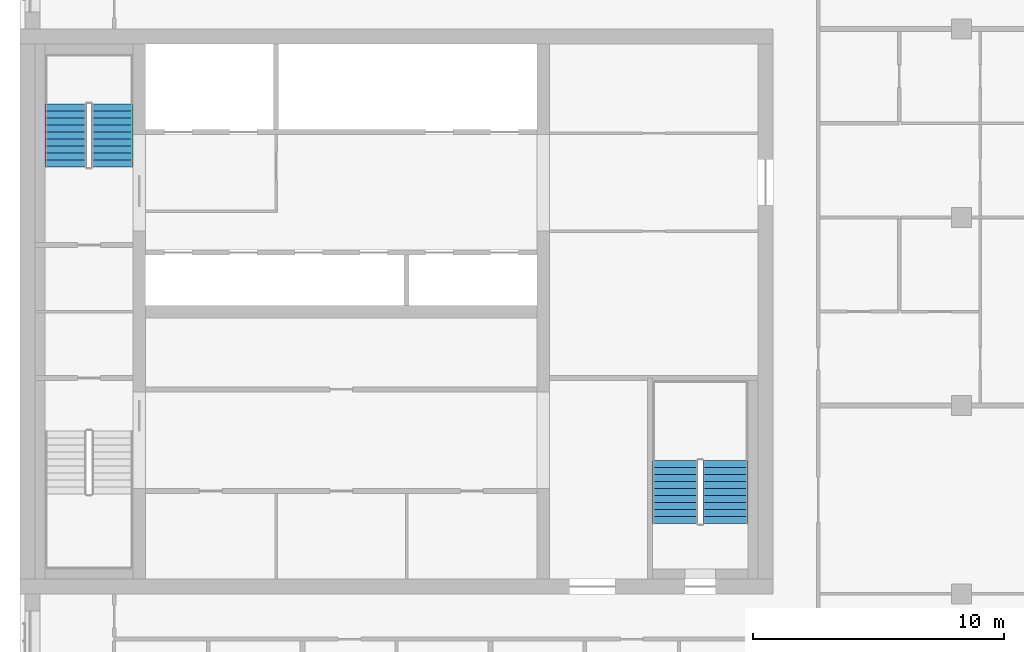
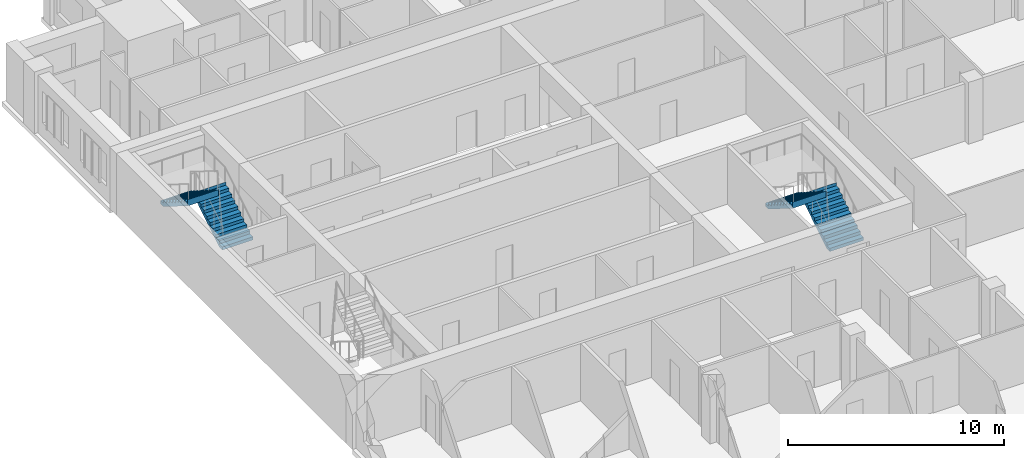
# One storey, part 9 of 10: 4 stair flights, 2 elements without a shape of their own.
"""IFC4 building model written with IfcOpenShell, lengths in metres."""

from ifc_helpers import new_model, si_unit, direction, frame, origin, place, context, subcontext, project, spatial, polyline, outline, extrude, material, type_object, element, aggregate, save


model = new_model("IFC4")

# Units and contexts
model_context = context("Model", 3, precision=1e-05, world=origin(), true_north=direction((0.0, 1.0)))
body_context = subcontext(model_context, "Body", "Model", "MODEL_VIEW")
ifc_project = project(units=[si_unit("LENGTHUNIT", "METRE"), si_unit("AREAUNIT", "SQUARE_METRE"), si_unit("VOLUMEUNIT", "CUBIC_METRE"), si_unit("PLANEANGLEUNIT", "RADIAN"), si_unit("MASSUNIT", "GRAM", prefix="KILO")], contexts=[model_context])

# Site, building, storey
site_placement = place(None, origin())
site = spatial("IfcSite", under=ifc_project, at=site_placement, CompositionType="ELEMENT")
building_placement = place(site_placement, origin())
building = spatial("IfcBuilding", under=site, at=building_placement, Name="Tamorin Gate", CompositionType="ELEMENT")
storey_placement = place(building_placement, frame((0.0, 0.0, 237.199951171875)))
storey = spatial("IfcBuildingStorey", under=building, at=storey_placement, Name="L59", CompositionType="ELEMENT", Elevation=237.199951171875)

# Stair, stair flights
ifc_material = material(Name="Concrete C40/50", Category="concrete")
stair_type = type_object("IfcStairType", Name="Exit stair", PredefinedType="HALF_TURN_STAIR", material=ifc_material)
stair_1_placement = place(storey_placement, origin())
stair_1 = element("IfcStair", 1, at=stair_1_placement, inside=storey, type_object=stair_type, Name="L59 stair ST2", PredefinedType="HALF_TURN_STAIR")
stair_flight_type = type_object("IfcStairFlightType", Name="Exit stair flight", PredefinedType="STRAIGHT", material=ifc_material)
stair_flight_1_placement = place(storey_placement, frame((33.675048828125, 77.0, 0.0), z_axis=(0.0, 0.0, 1.0), x_axis=(0.0, 1.0, 0.0)))
stair_flight_1 = element("IfcStairFlight", 2, at=stair_flight_1_placement, type_object=stair_flight_type, Name="ST2 flight 1", NumberOfRisers=10, NumberOfTreads=9, PredefinedType="STRAIGHT", RiserHeight=0.175, TreadLength=0.28, context=body_context, shape_type="SweptSolid", body=[
    extrude(outline(polyline([(-0.00048828125, 0.0), (-0.00048828125, 0.001708984375), (-0.00048828125, 0.00341796875), (-0.00048828125, 0.005126953125), (-0.00048828125, 0.0068359375), (-0.00048828125, 0.008544921875), (-0.00048828125, 0.010498046875), (-0.00048828125, 0.01220703125), (-0.00048828125, 0.013916015625), (-0.00048828125, 0.015625), (-0.00048828125, 0.017333984375), (-0.00048828125, 0.01904296875), (-0.00048828125, 0.020751953125), (-0.00048828125, 0.0224609375), (-0.00048828125, 0.024169921875), (-0.00048828125, 0.02587890625), (-0.00048828125, 0.02783203125), (-0.00048828125, 0.029541015625), (-0.00048828125, 0.03125), (-0.00048828125, 0.032958984375), (-0.00048828125, 0.03466796875), (-0.00048828125, 0.036376953125), (-0.00048828125, 0.0380859375), (-0.00048828125, 0.039794921875), (-0.00048828125, 0.04150390625), (-0.00048828125, 0.043212890625), (-0.00048828125, 0.045166015625), (-0.00048828125, 0.046875), (-0.00048828125, 0.048583984375), (-0.00048828125, 0.05029296875), (-0.00048828125, 0.052001953125), (-0.00048828125, 0.0537109375), (-0.00048828125, 0.055419921875), (-0.00048828125, 0.05712890625), (-0.00048828125, 0.058837890625), (-0.00048828125, 0.060546875), (-0.00048828125, 0.062255859375), (-0.00048828125, 0.064208984375), (-0.00048828125, 0.06591796875), (-0.00048828125, 0.067626953125), (-0.00048828125, 0.0693359375), (-0.00048828125, 0.071044921875), (-0.00048828125, 0.07275390625), (-0.00048828125, 0.074462890625), (-0.00048828125, 0.076171875), (-0.00048828125, 0.077880859375), (-0.00048828125, 0.07958984375), (-0.00048828125, 0.08154296875), (-0.00048828125, 0.083251953125), (-0.00048828125, 0.0849609375), (-0.00048828125, 0.086669921875), (-0.00048828125, 0.08837890625), (-0.00048828125, 0.090087890625), (-0.00048828125, 0.091796875), (-0.00048828125, 0.093505859375), (-0.00048828125, 0.09521484375), (-0.00048828125, 0.096923828125), (-0.00048828125, 0.098876953125), (-0.00048828125, 0.1005859375), (-0.00048828125, 0.102294921875), (-0.00048828125, 0.10400390625), (-0.00048828125, 0.105712890625), (-0.00048828125, 0.107421875), (-0.00048828125, 0.109130859375), (-0.00048828125, 0.11083984375), (-0.00048828125, 0.112548828125), (-0.00048828125, 0.1142578125), (-0.00048828125, 0.1162109375), (-0.00048828125, 0.117919921875), (-0.00048828125, 0.11962890625), (-0.00048828125, 0.121337890625), (-0.00048828125, 0.123046875), (-0.00048828125, 0.124755859375), (-0.00048828125, 0.12646484375), (-0.00048828125, 0.128173828125), (-0.00048828125, 0.1298828125), (-0.00048828125, 0.131591796875), (-0.00048828125, 0.13330078125), (-0.00048828125, 0.13525390625), (-0.00048828125, 0.136962890625), (-0.00048828125, 0.138671875), (-0.00048828125, 0.140380859375), (-0.00048828125, 0.14208984375), (-0.00048828125, 0.143798828125), (-0.00048828125, 0.1455078125), (-0.00048828125, 0.147216796875), (-0.00048828125, 0.14892578125), (-0.00048828125, 0.150634765625), (-0.00048828125, 0.152587890625), (-0.00048828125, 0.154296875), (-0.00048828125, 0.156005859375), (-0.00048828125, 0.15771484375), (-0.00048828125, 0.159423828125), (-0.00048828125, 0.1611328125), (-0.00048828125, 0.162841796875), (-0.00048828125, 0.16455078125), (-0.00048828125, 0.166259765625), (-0.00048828125, 0.16796875), (-0.00048828125, 0.169921875), (-0.00048828125, 0.171630859375), (-0.00048828125, 0.17333984375), (-0.00048828125, 0.175048828125), (0.280029296875, 0.175048828125), (0.280029296875, 0.35009765625), (0.56005859375, 0.35009765625), (0.56005859375, 0.52490234375), (0.840087890625, 0.52490234375), (0.840087890625, 0.699951171875), (1.1201171875, 0.699951171875), (1.1201171875, 0.875), (1.39990234375, 0.875), (1.39990234375, 1.050048828125), (1.679931640625, 1.050048828125), (1.679931640625, 1.22509765625), (1.9599609375, 1.22509765625), (1.9599609375, 1.39990234375), (2.239990234375, 1.39990234375), (2.239990234375, 1.574951171875), (2.52001953125, 1.574951171875), (2.52001953125, 1.75), (2.5205078125, 1.75), (2.5205078125, 1.74658203125), (2.5205078125, 1.742919921875), (2.5205078125, 1.739501953125), (2.5205078125, 1.736083984375), (2.5205078125, 1.732666015625), (2.5205078125, 1.72900390625), (2.5205078125, 1.7255859375), (2.5205078125, 1.72216796875), (2.5205078125, 1.71875), (2.5205078125, 1.715087890625), (2.5205078125, 1.711669921875), (2.5205078125, 1.708251953125), (2.5205078125, 1.704833984375), (2.5205078125, 1.701171875), (2.5205078125, 1.69775390625), (2.5205078125, 1.6943359375), (2.5205078125, 1.690673828125), (2.5205078125, 1.687255859375), (2.5205078125, 1.683837890625), (2.5205078125, 1.680419921875), (2.5205078125, 1.6767578125), (2.5205078125, 1.67333984375), (2.5205078125, 1.669921875), (2.5205078125, 1.66650390625), (2.5205078125, 1.662841796875), (2.5205078125, 1.659423828125), (2.5205078125, 1.656005859375), (2.5205078125, 1.652587890625), (2.5205078125, 1.64892578125), (2.5205078125, 1.6455078125), (2.5205078125, 1.64208984375), (2.5205078125, 1.638427734375), (2.5205078125, 1.635009765625), (2.5205078125, 1.631591796875), (2.5205078125, 1.628173828125), (2.5205078125, 1.62451171875), (2.5205078125, 1.62109375), (2.5205078125, 1.61767578125), (2.5205078125, 1.6142578125), (2.5205078125, 1.610595703125), (2.5205078125, 1.607177734375), (2.5205078125, 1.603759765625), (2.5205078125, 1.600341796875), (2.5205078125, 1.5966796875), (2.5205078125, 1.59326171875), (2.5205078125, 1.58984375), (2.5205078125, 1.58642578125), (2.5205078125, 1.582763671875), (2.5205078125, 1.579345703125), (2.5205078125, 1.575927734375), (2.5205078125, 1.572265625), (2.5205078125, 1.56884765625), (2.5205078125, 1.5654296875), (2.5205078125, 1.56201171875), (2.5205078125, 1.558349609375), (2.5205078125, 1.554931640625), (2.5205078125, 1.551513671875), (2.5205078125, 1.548095703125), (2.5205078125, 1.54443359375), (2.5205078125, 1.541015625), (2.5205078125, 1.53759765625), (2.5205078125, 1.5341796875), (2.5205078125, 1.530517578125), (2.5205078125, 1.527099609375), (2.5205078125, 1.523681640625), (2.5205078125, 1.52001953125), (2.5205078125, 1.5166015625), (2.5205078125, 1.51318359375), (2.5205078125, 1.509765625), (2.5205078125, 1.506103515625), (2.5205078125, 1.502685546875), (2.5205078125, 1.499267578125), (2.5205078125, 1.495849609375), (2.5205078125, 1.4921875), (2.5205078125, 1.48876953125), (2.5205078125, 1.4853515625), (2.5205078125, 1.48193359375), (2.5205078125, 1.478271484375), (2.5205078125, 1.474853515625), (2.5205078125, 1.471435546875), (2.5205078125, 1.4677734375), (2.5205078125, 1.46435546875), (2.5205078125, 1.4609375), (2.5205078125, 1.45751953125), (2.5205078125, 1.453857421875), (2.5205078125, 1.450439453125), (2.5205078125, 1.447021484375), (2.5205078125, 1.443603515625), (2.5205078125, 1.43994140625), (2.5205078125, 1.4365234375), (2.5205078125, 1.43310546875), (2.5205078125, 1.4296875), (2.5205078125, 1.426025390625), (2.5205078125, 1.422607421875), (2.5205078125, 1.419189453125), (2.5205078125, 1.41552734375), (2.5205078125, 1.412109375), (2.5205078125, 1.40869140625), (2.5205078125, 1.4052734375), (2.5205078125, 1.401611328125), (2.5205078125, 1.398193359375), (2.52001953125, 1.398193359375), (0.28271484375, 0.0), (-0.00048828125, 0.0)])), frame((0.0, 0.824951171875, 0.0), z_axis=(0.0, -1.0, 0.0), x_axis=(1.0, 0.0, 0.0)), (0.0, 0.0, 1.0), 1.64990234375),
])
stair_flight_2_placement = place(storey_placement, frame((31.824951171875, 79.52001953125, 1.75), z_axis=(0.0, 0.0, 1.0), x_axis=(0.0, -1.0, 0.0)))
stair_flight_2 = element("IfcStairFlight", 3, at=stair_flight_2_placement, type_object=stair_flight_type, Name="ST2 flight 2", NumberOfRisers=10, NumberOfTreads=9, PredefinedType="STRAIGHT", RiserHeight=0.175, TreadLength=0.28, context=body_context, shape_type="SweptSolid", body=[
    extrude(outline(polyline([(-0.00048828125, 0.0), (-0.00048828125, 0.001708984375), (-0.00048828125, 0.00341796875), (-0.00048828125, 0.005126953125), (-0.00048828125, 0.0068359375), (-0.00048828125, 0.008544921875), (-0.00048828125, 0.010498046875), (-0.00048828125, 0.01220703125), (-0.00048828125, 0.013916015625), (-0.00048828125, 0.015625), (-0.00048828125, 0.017333984375), (-0.00048828125, 0.01904296875), (-0.00048828125, 0.020751953125), (-0.00048828125, 0.0224609375), (-0.00048828125, 0.024169921875), (-0.00048828125, 0.02587890625), (-0.00048828125, 0.02783203125), (-0.00048828125, 0.029541015625), (-0.00048828125, 0.03125), (-0.00048828125, 0.032958984375), (-0.00048828125, 0.03466796875), (-0.00048828125, 0.036376953125), (-0.00048828125, 0.0380859375), (-0.00048828125, 0.039794921875), (-0.00048828125, 0.04150390625), (-0.00048828125, 0.043212890625), (-0.00048828125, 0.045166015625), (-0.00048828125, 0.046875), (-0.00048828125, 0.048583984375), (-0.00048828125, 0.05029296875), (-0.00048828125, 0.052001953125), (-0.00048828125, 0.0537109375), (-0.00048828125, 0.055419921875), (-0.00048828125, 0.05712890625), (-0.00048828125, 0.058837890625), (-0.00048828125, 0.060546875), (-0.00048828125, 0.062255859375), (-0.00048828125, 0.064208984375), (-0.00048828125, 0.06591796875), (-0.00048828125, 0.067626953125), (-0.00048828125, 0.0693359375), (-0.00048828125, 0.071044921875), (-0.00048828125, 0.07275390625), (-0.00048828125, 0.074462890625), (-0.00048828125, 0.076171875), (-0.00048828125, 0.077880859375), (-0.00048828125, 0.07958984375), (-0.00048828125, 0.08154296875), (-0.00048828125, 0.083251953125), (-0.00048828125, 0.0849609375), (-0.00048828125, 0.086669921875), (-0.00048828125, 0.08837890625), (-0.00048828125, 0.090087890625), (-0.00048828125, 0.091796875), (-0.00048828125, 0.093505859375), (-0.00048828125, 0.09521484375), (-0.00048828125, 0.096923828125), (-0.00048828125, 0.098876953125), (-0.00048828125, 0.1005859375), (-0.00048828125, 0.102294921875), (-0.00048828125, 0.10400390625), (-0.00048828125, 0.105712890625), (-0.00048828125, 0.107421875), (-0.00048828125, 0.109130859375), (-0.00048828125, 0.11083984375), (-0.00048828125, 0.112548828125), (-0.00048828125, 0.1142578125), (-0.00048828125, 0.1162109375), (-0.00048828125, 0.117919921875), (-0.00048828125, 0.11962890625), (-0.00048828125, 0.121337890625), (-0.00048828125, 0.123046875), (-0.00048828125, 0.124755859375), (-0.00048828125, 0.12646484375), (-0.00048828125, 0.128173828125), (-0.00048828125, 0.1298828125), (-0.00048828125, 0.131591796875), (-0.00048828125, 0.13330078125), (-0.00048828125, 0.13525390625), (-0.00048828125, 0.136962890625), (-0.00048828125, 0.138671875), (-0.00048828125, 0.140380859375), (-0.00048828125, 0.14208984375), (-0.00048828125, 0.143798828125), (-0.00048828125, 0.1455078125), (-0.00048828125, 0.147216796875), (-0.00048828125, 0.14892578125), (-0.00048828125, 0.150634765625), (-0.00048828125, 0.152587890625), (-0.00048828125, 0.154296875), (-0.00048828125, 0.156005859375), (-0.00048828125, 0.15771484375), (-0.00048828125, 0.159423828125), (-0.00048828125, 0.1611328125), (-0.00048828125, 0.162841796875), (-0.00048828125, 0.16455078125), (-0.00048828125, 0.166259765625), (-0.00048828125, 0.16796875), (-0.00048828125, 0.169921875), (-0.00048828125, 0.171630859375), (-0.00048828125, 0.17333984375), (-0.00048828125, 0.175048828125), (0.280029296875, 0.175048828125), (0.280029296875, 0.35009765625), (0.56005859375, 0.35009765625), (0.56005859375, 0.52490234375), (0.840087890625, 0.52490234375), (0.840087890625, 0.699951171875), (1.1201171875, 0.699951171875), (1.1201171875, 0.875), (1.39990234375, 0.875), (1.39990234375, 1.050048828125), (1.679931640625, 1.050048828125), (1.679931640625, 1.22509765625), (1.9599609375, 1.22509765625), (1.9599609375, 1.39990234375), (2.239990234375, 1.39990234375), (2.239990234375, 1.574951171875), (2.52001953125, 1.574951171875), (2.52001953125, 1.75), (2.5205078125, 1.75), (2.5205078125, 1.74658203125), (2.5205078125, 1.742919921875), (2.5205078125, 1.739501953125), (2.5205078125, 1.736083984375), (2.5205078125, 1.732666015625), (2.5205078125, 1.72900390625), (2.5205078125, 1.7255859375), (2.5205078125, 1.72216796875), (2.5205078125, 1.71875), (2.5205078125, 1.715087890625), (2.5205078125, 1.711669921875), (2.5205078125, 1.708251953125), (2.5205078125, 1.704833984375), (2.5205078125, 1.701171875), (2.5205078125, 1.69775390625), (2.5205078125, 1.6943359375), (2.5205078125, 1.690673828125), (2.5205078125, 1.687255859375), (2.5205078125, 1.683837890625), (2.5205078125, 1.680419921875), (2.5205078125, 1.6767578125), (2.5205078125, 1.67333984375), (2.5205078125, 1.669921875), (2.5205078125, 1.66650390625), (2.5205078125, 1.662841796875), (2.5205078125, 1.659423828125), (2.5205078125, 1.656005859375), (2.5205078125, 1.652587890625), (2.5205078125, 1.64892578125), (2.5205078125, 1.6455078125), (2.5205078125, 1.64208984375), (2.5205078125, 1.638427734375), (2.5205078125, 1.635009765625), (2.5205078125, 1.631591796875), (2.5205078125, 1.628173828125), (2.5205078125, 1.62451171875), (2.5205078125, 1.62109375), (2.5205078125, 1.61767578125), (2.5205078125, 1.6142578125), (2.5205078125, 1.610595703125), (2.5205078125, 1.607177734375), (2.5205078125, 1.603759765625), (2.5205078125, 1.600341796875), (2.5205078125, 1.5966796875), (2.5205078125, 1.59326171875), (2.5205078125, 1.58984375), (2.5205078125, 1.58642578125), (2.5205078125, 1.582763671875), (2.5205078125, 1.579345703125), (2.5205078125, 1.575927734375), (2.5205078125, 1.572265625), (2.5205078125, 1.56884765625), (2.5205078125, 1.5654296875), (2.5205078125, 1.56201171875), (2.5205078125, 1.558349609375), (2.5205078125, 1.554931640625), (2.5205078125, 1.551513671875), (2.5205078125, 1.548095703125), (2.5205078125, 1.54443359375), (2.5205078125, 1.541015625), (2.5205078125, 1.53759765625), (2.5205078125, 1.5341796875), (2.5205078125, 1.530517578125), (2.5205078125, 1.527099609375), (2.5205078125, 1.523681640625), (2.5205078125, 1.52001953125), (2.5205078125, 1.5166015625), (2.5205078125, 1.51318359375), (2.5205078125, 1.509765625), (2.5205078125, 1.506103515625), (2.5205078125, 1.502685546875), (2.5205078125, 1.499267578125), (2.5205078125, 1.495849609375), (2.5205078125, 1.4921875), (2.5205078125, 1.48876953125), (2.5205078125, 1.4853515625), (2.5205078125, 1.48193359375), (2.5205078125, 1.478271484375), (2.5205078125, 1.474853515625), (2.5205078125, 1.471435546875), (2.5205078125, 1.4677734375), (2.5205078125, 1.46435546875), (2.5205078125, 1.4609375), (2.5205078125, 1.45751953125), (2.5205078125, 1.453857421875), (2.5205078125, 1.450439453125), (2.5205078125, 1.447021484375), (2.5205078125, 1.443603515625), (2.5205078125, 1.43994140625), (2.5205078125, 1.4365234375), (2.5205078125, 1.43310546875), (2.5205078125, 1.4296875), (2.5205078125, 1.426025390625), (2.5205078125, 1.422607421875), (2.5205078125, 1.419189453125), (2.5205078125, 1.41552734375), (2.5205078125, 1.412109375), (2.5205078125, 1.40869140625), (2.5205078125, 1.4052734375), (2.5205078125, 1.401611328125), (2.5205078125, 1.398193359375), (2.52001953125, 1.398193359375), (0.28271484375, 0.0), (-0.00048828125, 0.0)])), frame((0.0, 0.824951171875, 0.0), z_axis=(0.0, -1.0, 0.0), x_axis=(1.0, 0.0, 0.0)), (0.0, 0.0, 1.0), 1.64990234375),
])
aggregate(stair_1, [stair_flight_1, stair_flight_2])

stair_2_placement = place(storey_placement, origin())
stair_2 = element("IfcStair", 4, at=stair_2_placement, inside=storey, type_object=stair_type, Name="L59 stair ST3", PredefinedType="HALF_TURN_STAIR")
stair_flight_3_placement = place(storey_placement, frame((58.10009765625, 62.800048828125, 0.0), z_axis=(0.0, 0.0, 1.0), x_axis=(0.0, 1.0, 0.0)))
stair_flight_3 = element("IfcStairFlight", 5, at=stair_flight_3_placement, type_object=stair_flight_type, Name="ST3 flight 1", NumberOfRisers=10, NumberOfTreads=9, PredefinedType="STRAIGHT", RiserHeight=0.175, TreadLength=0.28, context=body_context, shape_type="SweptSolid", body=[
    extrude(outline(polyline([(-0.00048828125, 0.0), (-0.00048828125, 0.001708984375), (-0.00048828125, 0.00341796875), (-0.00048828125, 0.005126953125), (-0.00048828125, 0.0068359375), (-0.00048828125, 0.008544921875), (-0.00048828125, 0.010498046875), (-0.00048828125, 0.01220703125), (-0.00048828125, 0.013916015625), (-0.00048828125, 0.015625), (-0.00048828125, 0.017333984375), (-0.00048828125, 0.01904296875), (-0.00048828125, 0.020751953125), (-0.00048828125, 0.0224609375), (-0.00048828125, 0.024169921875), (-0.00048828125, 0.02587890625), (-0.00048828125, 0.02783203125), (-0.00048828125, 0.029541015625), (-0.00048828125, 0.03125), (-0.00048828125, 0.032958984375), (-0.00048828125, 0.03466796875), (-0.00048828125, 0.036376953125), (-0.00048828125, 0.0380859375), (-0.00048828125, 0.039794921875), (-0.00048828125, 0.04150390625), (-0.00048828125, 0.043212890625), (-0.00048828125, 0.045166015625), (-0.00048828125, 0.046875), (-0.00048828125, 0.048583984375), (-0.00048828125, 0.05029296875), (-0.00048828125, 0.052001953125), (-0.00048828125, 0.0537109375), (-0.00048828125, 0.055419921875), (-0.00048828125, 0.05712890625), (-0.00048828125, 0.058837890625), (-0.00048828125, 0.060546875), (-0.00048828125, 0.062255859375), (-0.00048828125, 0.064208984375), (-0.00048828125, 0.06591796875), (-0.00048828125, 0.067626953125), (-0.00048828125, 0.0693359375), (-0.00048828125, 0.071044921875), (-0.00048828125, 0.07275390625), (-0.00048828125, 0.074462890625), (-0.00048828125, 0.076171875), (-0.00048828125, 0.077880859375), (-0.00048828125, 0.07958984375), (-0.00048828125, 0.08154296875), (-0.00048828125, 0.083251953125), (-0.00048828125, 0.0849609375), (-0.00048828125, 0.086669921875), (-0.00048828125, 0.08837890625), (-0.00048828125, 0.090087890625), (-0.00048828125, 0.091796875), (-0.00048828125, 0.093505859375), (-0.00048828125, 0.09521484375), (-0.00048828125, 0.096923828125), (-0.00048828125, 0.098876953125), (-0.00048828125, 0.1005859375), (-0.00048828125, 0.102294921875), (-0.00048828125, 0.10400390625), (-0.00048828125, 0.105712890625), (-0.00048828125, 0.107421875), (-0.00048828125, 0.109130859375), (-0.00048828125, 0.11083984375), (-0.00048828125, 0.112548828125), (-0.00048828125, 0.1142578125), (-0.00048828125, 0.1162109375), (-0.00048828125, 0.117919921875), (-0.00048828125, 0.11962890625), (-0.00048828125, 0.121337890625), (-0.00048828125, 0.123046875), (-0.00048828125, 0.124755859375), (-0.00048828125, 0.12646484375), (-0.00048828125, 0.128173828125), (-0.00048828125, 0.1298828125), (-0.00048828125, 0.131591796875), (-0.00048828125, 0.13330078125), (-0.00048828125, 0.13525390625), (-0.00048828125, 0.136962890625), (-0.00048828125, 0.138671875), (-0.00048828125, 0.140380859375), (-0.00048828125, 0.14208984375), (-0.00048828125, 0.143798828125), (-0.00048828125, 0.1455078125), (-0.00048828125, 0.147216796875), (-0.00048828125, 0.14892578125), (-0.00048828125, 0.150634765625), (-0.00048828125, 0.152587890625), (-0.00048828125, 0.154296875), (-0.00048828125, 0.156005859375), (-0.00048828125, 0.15771484375), (-0.00048828125, 0.159423828125), (-0.00048828125, 0.1611328125), (-0.00048828125, 0.162841796875), (-0.00048828125, 0.16455078125), (-0.00048828125, 0.166259765625), (-0.00048828125, 0.16796875), (-0.00048828125, 0.169921875), (-0.00048828125, 0.171630859375), (-0.00048828125, 0.17333984375), (-0.00048828125, 0.175048828125), (0.280029296875, 0.175048828125), (0.280029296875, 0.35009765625), (0.56005859375, 0.35009765625), (0.56005859375, 0.52490234375), (0.840087890625, 0.52490234375), (0.840087890625, 0.699951171875), (1.1201171875, 0.699951171875), (1.1201171875, 0.875), (1.39990234375, 0.875), (1.39990234375, 1.050048828125), (1.679931640625, 1.050048828125), (1.679931640625, 1.22509765625), (1.9599609375, 1.22509765625), (1.9599609375, 1.39990234375), (2.239990234375, 1.39990234375), (2.239990234375, 1.574951171875), (2.52001953125, 1.574951171875), (2.52001953125, 1.75), (2.5205078125, 1.75), (2.5205078125, 1.74658203125), (2.5205078125, 1.742919921875), (2.5205078125, 1.739501953125), (2.5205078125, 1.736083984375), (2.5205078125, 1.732666015625), (2.5205078125, 1.72900390625), (2.5205078125, 1.7255859375), (2.5205078125, 1.72216796875), (2.5205078125, 1.71875), (2.5205078125, 1.715087890625), (2.5205078125, 1.711669921875), (2.5205078125, 1.708251953125), (2.5205078125, 1.704833984375), (2.5205078125, 1.701171875), (2.5205078125, 1.69775390625), (2.5205078125, 1.6943359375), (2.5205078125, 1.690673828125), (2.5205078125, 1.687255859375), (2.5205078125, 1.683837890625), (2.5205078125, 1.680419921875), (2.5205078125, 1.6767578125), (2.5205078125, 1.67333984375), (2.5205078125, 1.669921875), (2.5205078125, 1.66650390625), (2.5205078125, 1.662841796875), (2.5205078125, 1.659423828125), (2.5205078125, 1.656005859375), (2.5205078125, 1.652587890625), (2.5205078125, 1.64892578125), (2.5205078125, 1.6455078125), (2.5205078125, 1.64208984375), (2.5205078125, 1.638427734375), (2.5205078125, 1.635009765625), (2.5205078125, 1.631591796875), (2.5205078125, 1.628173828125), (2.5205078125, 1.62451171875), (2.5205078125, 1.62109375), (2.5205078125, 1.61767578125), (2.5205078125, 1.6142578125), (2.5205078125, 1.610595703125), (2.5205078125, 1.607177734375), (2.5205078125, 1.603759765625), (2.5205078125, 1.600341796875), (2.5205078125, 1.5966796875), (2.5205078125, 1.59326171875), (2.5205078125, 1.58984375), (2.5205078125, 1.58642578125), (2.5205078125, 1.582763671875), (2.5205078125, 1.579345703125), (2.5205078125, 1.575927734375), (2.5205078125, 1.572265625), (2.5205078125, 1.56884765625), (2.5205078125, 1.5654296875), (2.5205078125, 1.56201171875), (2.5205078125, 1.558349609375), (2.5205078125, 1.554931640625), (2.5205078125, 1.551513671875), (2.5205078125, 1.548095703125), (2.5205078125, 1.54443359375), (2.5205078125, 1.541015625), (2.5205078125, 1.53759765625), (2.5205078125, 1.5341796875), (2.5205078125, 1.530517578125), (2.5205078125, 1.527099609375), (2.5205078125, 1.523681640625), (2.5205078125, 1.52001953125), (2.5205078125, 1.5166015625), (2.5205078125, 1.51318359375), (2.5205078125, 1.509765625), (2.5205078125, 1.506103515625), (2.5205078125, 1.502685546875), (2.5205078125, 1.499267578125), (2.5205078125, 1.495849609375), (2.5205078125, 1.4921875), (2.5205078125, 1.48876953125), (2.5205078125, 1.4853515625), (2.5205078125, 1.48193359375), (2.5205078125, 1.478271484375), (2.5205078125, 1.474853515625), (2.5205078125, 1.471435546875), (2.5205078125, 1.4677734375), (2.5205078125, 1.46435546875), (2.5205078125, 1.4609375), (2.5205078125, 1.45751953125), (2.5205078125, 1.453857421875), (2.5205078125, 1.450439453125), (2.5205078125, 1.447021484375), (2.5205078125, 1.443603515625), (2.5205078125, 1.43994140625), (2.5205078125, 1.4365234375), (2.5205078125, 1.43310546875), (2.5205078125, 1.4296875), (2.5205078125, 1.426025390625), (2.5205078125, 1.422607421875), (2.5205078125, 1.419189453125), (2.5205078125, 1.41552734375), (2.5205078125, 1.412109375), (2.5205078125, 1.40869140625), (2.5205078125, 1.4052734375), (2.5205078125, 1.401611328125), (2.5205078125, 1.398193359375), (2.52001953125, 1.398193359375), (0.28271484375, 0.0), (-0.00048828125, 0.0)])), frame((0.0, 0.89990234375, 0.0), z_axis=(0.0, -1.0, 0.0), x_axis=(1.0, 0.0, 0.0)), (0.0, 0.0, 1.0), 1.800048828125),
])
stair_flight_4_placement = place(storey_placement, frame((56.10009765625, 65.320068359375, 1.75), z_axis=(0.0, 0.0, 1.0), x_axis=(0.0, -1.0, 0.0)))
stair_flight_4 = element("IfcStairFlight", 6, at=stair_flight_4_placement, type_object=stair_flight_type, Name="ST3 flight 2", NumberOfRisers=10, NumberOfTreads=9, PredefinedType="STRAIGHT", RiserHeight=0.175, TreadLength=0.28, context=body_context, shape_type="SweptSolid", body=[
    extrude(outline(polyline([(-0.00048828125, 0.0), (-0.00048828125, 0.001708984375), (-0.00048828125, 0.00341796875), (-0.00048828125, 0.005126953125), (-0.00048828125, 0.0068359375), (-0.00048828125, 0.008544921875), (-0.00048828125, 0.010498046875), (-0.00048828125, 0.01220703125), (-0.00048828125, 0.013916015625), (-0.00048828125, 0.015625), (-0.00048828125, 0.017333984375), (-0.00048828125, 0.01904296875), (-0.00048828125, 0.020751953125), (-0.00048828125, 0.0224609375), (-0.00048828125, 0.024169921875), (-0.00048828125, 0.02587890625), (-0.00048828125, 0.02783203125), (-0.00048828125, 0.029541015625), (-0.00048828125, 0.03125), (-0.00048828125, 0.032958984375), (-0.00048828125, 0.03466796875), (-0.00048828125, 0.036376953125), (-0.00048828125, 0.0380859375), (-0.00048828125, 0.039794921875), (-0.00048828125, 0.04150390625), (-0.00048828125, 0.043212890625), (-0.00048828125, 0.045166015625), (-0.00048828125, 0.046875), (-0.00048828125, 0.048583984375), (-0.00048828125, 0.05029296875), (-0.00048828125, 0.052001953125), (-0.00048828125, 0.0537109375), (-0.00048828125, 0.055419921875), (-0.00048828125, 0.05712890625), (-0.00048828125, 0.058837890625), (-0.00048828125, 0.060546875), (-0.00048828125, 0.062255859375), (-0.00048828125, 0.064208984375), (-0.00048828125, 0.06591796875), (-0.00048828125, 0.067626953125), (-0.00048828125, 0.0693359375), (-0.00048828125, 0.071044921875), (-0.00048828125, 0.07275390625), (-0.00048828125, 0.074462890625), (-0.00048828125, 0.076171875), (-0.00048828125, 0.077880859375), (-0.00048828125, 0.07958984375), (-0.00048828125, 0.08154296875), (-0.00048828125, 0.083251953125), (-0.00048828125, 0.0849609375), (-0.00048828125, 0.086669921875), (-0.00048828125, 0.08837890625), (-0.00048828125, 0.090087890625), (-0.00048828125, 0.091796875), (-0.00048828125, 0.093505859375), (-0.00048828125, 0.09521484375), (-0.00048828125, 0.096923828125), (-0.00048828125, 0.098876953125), (-0.00048828125, 0.1005859375), (-0.00048828125, 0.102294921875), (-0.00048828125, 0.10400390625), (-0.00048828125, 0.105712890625), (-0.00048828125, 0.107421875), (-0.00048828125, 0.109130859375), (-0.00048828125, 0.11083984375), (-0.00048828125, 0.112548828125), (-0.00048828125, 0.1142578125), (-0.00048828125, 0.1162109375), (-0.00048828125, 0.117919921875), (-0.00048828125, 0.11962890625), (-0.00048828125, 0.121337890625), (-0.00048828125, 0.123046875), (-0.00048828125, 0.124755859375), (-0.00048828125, 0.12646484375), (-0.00048828125, 0.128173828125), (-0.00048828125, 0.1298828125), (-0.00048828125, 0.131591796875), (-0.00048828125, 0.13330078125), (-0.00048828125, 0.13525390625), (-0.00048828125, 0.136962890625), (-0.00048828125, 0.138671875), (-0.00048828125, 0.140380859375), (-0.00048828125, 0.14208984375), (-0.00048828125, 0.143798828125), (-0.00048828125, 0.1455078125), (-0.00048828125, 0.147216796875), (-0.00048828125, 0.14892578125), (-0.00048828125, 0.150634765625), (-0.00048828125, 0.152587890625), (-0.00048828125, 0.154296875), (-0.00048828125, 0.156005859375), (-0.00048828125, 0.15771484375), (-0.00048828125, 0.159423828125), (-0.00048828125, 0.1611328125), (-0.00048828125, 0.162841796875), (-0.00048828125, 0.16455078125), (-0.00048828125, 0.166259765625), (-0.00048828125, 0.16796875), (-0.00048828125, 0.169921875), (-0.00048828125, 0.171630859375), (-0.00048828125, 0.17333984375), (-0.00048828125, 0.175048828125), (0.280029296875, 0.175048828125), (0.280029296875, 0.35009765625), (0.56005859375, 0.35009765625), (0.56005859375, 0.52490234375), (0.840087890625, 0.52490234375), (0.840087890625, 0.699951171875), (1.1201171875, 0.699951171875), (1.1201171875, 0.875), (1.39990234375, 0.875), (1.39990234375, 1.050048828125), (1.679931640625, 1.050048828125), (1.679931640625, 1.22509765625), (1.9599609375, 1.22509765625), (1.9599609375, 1.39990234375), (2.239990234375, 1.39990234375), (2.239990234375, 1.574951171875), (2.52001953125, 1.574951171875), (2.52001953125, 1.75), (2.5205078125, 1.75), (2.5205078125, 1.74658203125), (2.5205078125, 1.742919921875), (2.5205078125, 1.739501953125), (2.5205078125, 1.736083984375), (2.5205078125, 1.732666015625), (2.5205078125, 1.72900390625), (2.5205078125, 1.7255859375), (2.5205078125, 1.72216796875), (2.5205078125, 1.71875), (2.5205078125, 1.715087890625), (2.5205078125, 1.711669921875), (2.5205078125, 1.708251953125), (2.5205078125, 1.704833984375), (2.5205078125, 1.701171875), (2.5205078125, 1.69775390625), (2.5205078125, 1.6943359375), (2.5205078125, 1.690673828125), (2.5205078125, 1.687255859375), (2.5205078125, 1.683837890625), (2.5205078125, 1.680419921875), (2.5205078125, 1.6767578125), (2.5205078125, 1.67333984375), (2.5205078125, 1.669921875), (2.5205078125, 1.66650390625), (2.5205078125, 1.662841796875), (2.5205078125, 1.659423828125), (2.5205078125, 1.656005859375), (2.5205078125, 1.652587890625), (2.5205078125, 1.64892578125), (2.5205078125, 1.6455078125), (2.5205078125, 1.64208984375), (2.5205078125, 1.638427734375), (2.5205078125, 1.635009765625), (2.5205078125, 1.631591796875), (2.5205078125, 1.628173828125), (2.5205078125, 1.62451171875), (2.5205078125, 1.62109375), (2.5205078125, 1.61767578125), (2.5205078125, 1.6142578125), (2.5205078125, 1.610595703125), (2.5205078125, 1.607177734375), (2.5205078125, 1.603759765625), (2.5205078125, 1.600341796875), (2.5205078125, 1.5966796875), (2.5205078125, 1.59326171875), (2.5205078125, 1.58984375), (2.5205078125, 1.58642578125), (2.5205078125, 1.582763671875), (2.5205078125, 1.579345703125), (2.5205078125, 1.575927734375), (2.5205078125, 1.572265625), (2.5205078125, 1.56884765625), (2.5205078125, 1.5654296875), (2.5205078125, 1.56201171875), (2.5205078125, 1.558349609375), (2.5205078125, 1.554931640625), (2.5205078125, 1.551513671875), (2.5205078125, 1.548095703125), (2.5205078125, 1.54443359375), (2.5205078125, 1.541015625), (2.5205078125, 1.53759765625), (2.5205078125, 1.5341796875), (2.5205078125, 1.530517578125), (2.5205078125, 1.527099609375), (2.5205078125, 1.523681640625), (2.5205078125, 1.52001953125), (2.5205078125, 1.5166015625), (2.5205078125, 1.51318359375), (2.5205078125, 1.509765625), (2.5205078125, 1.506103515625), (2.5205078125, 1.502685546875), (2.5205078125, 1.499267578125), (2.5205078125, 1.495849609375), (2.5205078125, 1.4921875), (2.5205078125, 1.48876953125), (2.5205078125, 1.4853515625), (2.5205078125, 1.48193359375), (2.5205078125, 1.478271484375), (2.5205078125, 1.474853515625), (2.5205078125, 1.471435546875), (2.5205078125, 1.4677734375), (2.5205078125, 1.46435546875), (2.5205078125, 1.4609375), (2.5205078125, 1.45751953125), (2.5205078125, 1.453857421875), (2.5205078125, 1.450439453125), (2.5205078125, 1.447021484375), (2.5205078125, 1.443603515625), (2.5205078125, 1.43994140625), (2.5205078125, 1.4365234375), (2.5205078125, 1.43310546875), (2.5205078125, 1.4296875), (2.5205078125, 1.426025390625), (2.5205078125, 1.422607421875), (2.5205078125, 1.419189453125), (2.5205078125, 1.41552734375), (2.5205078125, 1.412109375), (2.5205078125, 1.40869140625), (2.5205078125, 1.4052734375), (2.5205078125, 1.401611328125), (2.5205078125, 1.398193359375), (2.52001953125, 1.398193359375), (0.28271484375, 0.0), (-0.00048828125, 0.0)])), frame((0.0, 0.89990234375, 0.0), z_axis=(0.0, -1.0, 0.0), x_axis=(1.0, 0.0, 0.0)), (0.0, 0.0, 1.0), 1.800048828125),
])
aggregate(stair_2, [stair_flight_3, stair_flight_4])

save(model, "model.ifc")
